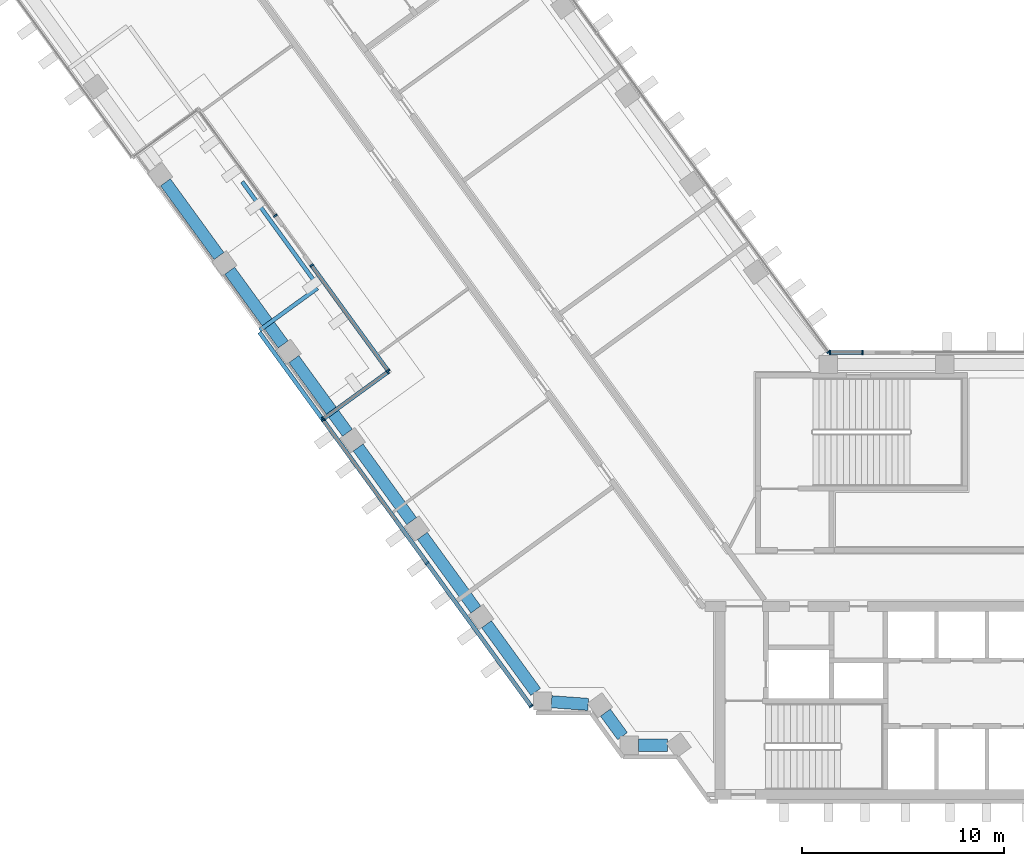
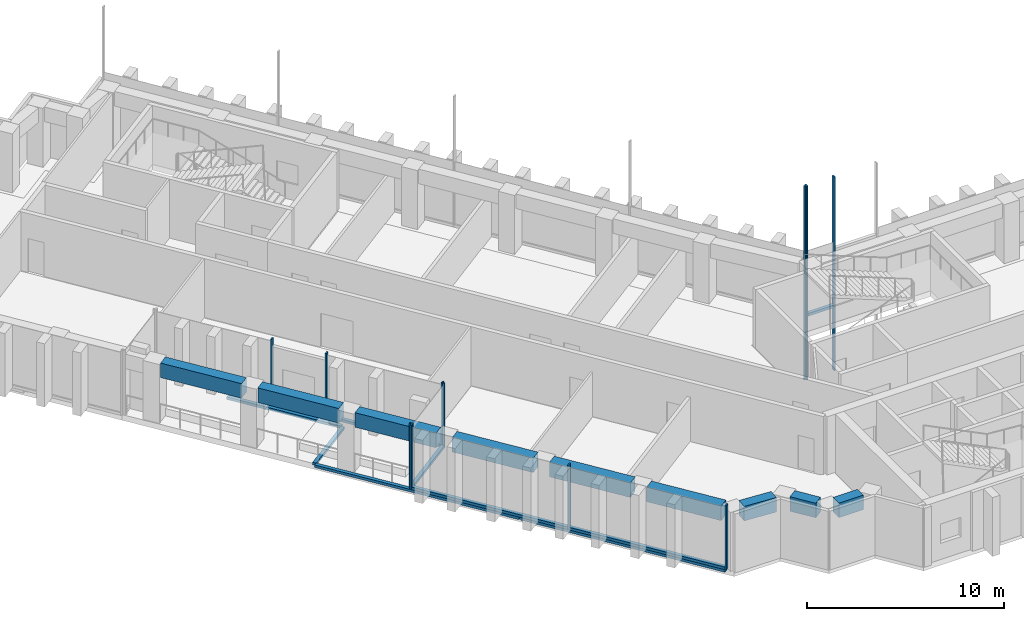
"""IFC4 building model written with IfcOpenShell, lengths in metres."""

from ifc_helpers import new_model, si_unit, direction, frame, origin, origin_2d, place, context, subcontext, project, spatial, rectangle, extrude, material, material_profile, profile_set, type_object, element, aggregate, save


model = new_model("IFC4")

# Units and contexts
model_context = context("Model", 3, precision=1e-05, world=origin(), true_north=direction((0.0, 1.0)))
body_context = subcontext(model_context, "Body", "Model", "MODEL_VIEW")
ifc_project = project(units=[si_unit("LENGTHUNIT", "METRE"), si_unit("AREAUNIT", "SQUARE_METRE"), si_unit("VOLUMEUNIT", "CUBIC_METRE"), si_unit("PLANEANGLEUNIT", "RADIAN"), si_unit("MASSUNIT", "GRAM", prefix="KILO")], contexts=[model_context])

# Site, building, storey
site_placement = place(None, origin())
site = spatial("IfcSite", under=ifc_project, at=site_placement, CompositionType="ELEMENT")
building_placement = place(site_placement, origin())
building = spatial("IfcBuilding", under=site, at=building_placement, Name="Quipu Civic Tower", CompositionType="ELEMENT")
storey_1_placement = place(building_placement, frame((0.0, 0.0, 47.0)))
storey_1 = spatial("IfcBuildingStorey", under=building, at=storey_1_placement, Name="L10", CompositionType="ELEMENT", Elevation=47.0)

# Curtain wall, member
ifc_material_1 = material(Name="Insulated glass unit", Category="glass")
curtain_wall_type = type_object("IfcCurtainWallType", Name="Office curtain wall CW1", PredefinedType="NOTDEFINED", material=ifc_material_1)
curtain_wall_1_placement = place(storey_1_placement, origin())
curtain_wall_1 = element("IfcCurtainWall", 1, at=curtain_wall_1_placement, inside=storey_1, type_object=curtain_wall_type, Name="Office curtain wall CW1 L10 run 3", PredefinedType="NOTDEFINED")
ifc_material_2 = material(Name="Anodised aluminium", Category="aluminium")
ifc_material_profile_1 = material_profile(ifc_material_2, rectangle(XDim=0.199951171875, YDim=0.080078125, at=origin_2d()), Name="RECT 200x80")
ifc_profile_set_1 = profile_set([ifc_material_profile_1], Name="Anodised aluminium")
member_type_1 = type_object("IfcMemberType", Name="Mullion CW1", PredefinedType="MULLION", material=ifc_profile_set_1)
member_1_placement = place(storey_1_placement, frame((-41.72119140625, 17.865966796875, 0.080078125), z_axis=(0.0, 0.0, 1.0), x_axis=(0.809021906018, 0.587778491936, 0.0)))
member_1 = element("IfcMember", 2, at=member_1_placement, type_object=member_type_1, Name="CW1 mullion 2", PredefinedType="MULLION", context=body_context, shape_type="SweptSolid", body=[
    extrude(rectangle(XDim=0.199951171875, YDim=0.080078125, at=origin_2d()), origin(), (0.0, 0.0, 1.0), 4.0),
])
aggregate(curtain_wall_1, [member_1])

# Curtain wall, members
curtain_wall_2_placement = place(storey_1_placement, origin())
curtain_wall_2 = element("IfcCurtainWall", 3, at=curtain_wall_2_placement, inside=storey_1, type_object=curtain_wall_type, Name="Office curtain wall CW1 L10 run 5", PredefinedType="NOTDEFINED")
member_2_placement = place(storey_1_placement, frame((-39.9326171875, 15.404296875, 0.080078125), z_axis=(0.0, 0.0, 1.0), x_axis=(0.809018600878, 0.587783041125, 0.0)))
member_2 = element("IfcMember", 4, at=member_2_placement, type_object=member_type_1, Name="CW1 mullion 1", PredefinedType="MULLION", context=body_context, shape_type="SweptSolid", body=[
    extrude(rectangle(XDim=0.199951171875, YDim=0.080078125, at=origin_2d()), origin(), (0.0, 0.0, 1.0), 4.0),
])
member_3_placement = place(storey_1_placement, frame((-36.148193359375, 10.195556640625, 0.080078125), z_axis=(0.0, 0.0, 1.0), x_axis=(0.809018600878, 0.587783041125, 0.0)))
member_3 = element("IfcMember", 5, at=member_3_placement, type_object=member_type_1, Name="CW1 mullion 2", PredefinedType="MULLION", context=body_context, shape_type="SweptSolid", body=[
    extrude(rectangle(XDim=0.199951171875, YDim=0.080078125, at=origin_2d()), origin(), (0.0, 0.0, 1.0), 4.0),
])

curtain_wall_3_placement = place(storey_1_placement, origin())
curtain_wall_3 = element("IfcCurtainWall", 6, at=curtain_wall_3_placement, inside=storey_1, type_object=curtain_wall_type, Name="Office curtain wall CW1 L10 run 6", PredefinedType="NOTDEFINED")
member_4_placement = place(storey_1_placement, frame((-36.156982421875, 10.1396484375, 0.080078125), z_axis=(0.0, 0.0, 1.0), x_axis=(0.587777550153, -0.809022590251, 0.0)))
member_4 = element("IfcMember", 7, at=member_4_placement, type_object=member_type_1, Name="CW1 mullion 1", PredefinedType="MULLION", context=body_context, shape_type="SweptSolid", body=[
    extrude(rectangle(XDim=0.199951171875, YDim=0.080078125, at=origin_2d()), origin(), (0.0, 0.0, 1.0), 4.0),
])
member_5_placement = place(storey_1_placement, frame((-39.3515625, 7.818603515625, 0.080078125), z_axis=(0.0, 0.0, 1.0), x_axis=(0.587777550153, -0.809022590251, 0.0)))
member_5 = element("IfcMember", 8, at=member_5_placement, type_object=member_type_1, Name="CW1 mullion 2", PredefinedType="MULLION", context=body_context, shape_type="SweptSolid", body=[
    extrude(rectangle(XDim=0.199951171875, YDim=0.080078125, at=origin_2d()), origin(), (0.0, 0.0, 1.0), 4.0),
])

curtain_wall_4_placement = place(storey_1_placement, origin())
curtain_wall_4 = element("IfcCurtainWall", 9, at=curtain_wall_4_placement, inside=storey_1, type_object=curtain_wall_type, Name="Office curtain wall CW1 L10 run 7", PredefinedType="NOTDEFINED")
member_6_placement = place(storey_1_placement, frame((-39.3603515625, 7.762939453125, 0.080078125), z_axis=(0.0, 0.0, 1.0), x_axis=(0.809017535597, 0.587784507363, 0.0)))
member_6 = element("IfcMember", 10, at=member_6_placement, type_object=member_type_1, Name="CW1 mullion 1", PredefinedType="MULLION", context=body_context, shape_type="SweptSolid", body=[
    extrude(rectangle(XDim=0.199951171875, YDim=0.080078125, at=origin_2d()), origin(), (0.0, 0.0, 1.0), 4.0),
])
member_7_placement = place(storey_1_placement, frame((-34.219970703125, 0.6875, 0.080078125), z_axis=(0.0, 0.0, 1.0), x_axis=(0.809017535597, 0.587784507363, 0.0)))
member_7 = element("IfcMember", 11, at=member_7_placement, type_object=member_type_1, Name="CW1 mullion 2", PredefinedType="MULLION", context=body_context, shape_type="SweptSolid", body=[
    extrude(rectangle(XDim=0.199951171875, YDim=0.080078125, at=origin_2d()), origin(), (0.0, 0.0, 1.0), 4.0),
])
member_8_placement = place(storey_1_placement, frame((-29.079345703125, -6.3876953125, 0.080078125), z_axis=(0.0, 0.0, 1.0), x_axis=(0.809017535597, 0.587784507363, 0.0)))
member_8 = element("IfcMember", 12, at=member_8_placement, type_object=member_type_1, Name="CW1 mullion 3", PredefinedType="MULLION", context=body_context, shape_type="SweptSolid", body=[
    extrude(rectangle(XDim=0.199951171875, YDim=0.080078125, at=origin_2d()), origin(), (0.0, 0.0, 1.0), 4.0),
])

curtain_wall_5_placement = place(storey_1_placement, origin())
curtain_wall_5 = element("IfcCurtainWall", 13, at=curtain_wall_5_placement, inside=storey_1, type_object=curtain_wall_type, Name="Office curtain wall CW1 L09 run 34", PredefinedType="NOTDEFINED")
member_9_placement = place(storey_1_placement, frame((-12.695068359375, 11.10009765625, -3.919921875), z_axis=(0.0, 0.0, 1.0), x_axis=(0.0, -1.0, 0.0)))
member_9 = element("IfcMember", 14, at=member_9_placement, type_object=member_type_1, Name="CW1 mullion 1", PredefinedType="MULLION", context=body_context, shape_type="SweptSolid", body=[
    extrude(rectangle(XDim=0.199951171875, YDim=0.080078125, at=origin_2d()), origin(), (0.0, 0.0, 1.0), 12.0),
])
member_10_placement = place(storey_1_placement, frame((-14.30419921875, 11.10009765625, -3.919921875), z_axis=(0.0, 0.0, 1.0), x_axis=(0.0, -1.0, 0.0)))
member_10 = element("IfcMember", 15, at=member_10_placement, type_object=member_type_1, Name="CW1 mullion 2", PredefinedType="MULLION", context=body_context, shape_type="SweptSolid", body=[
    extrude(rectangle(XDim=0.199951171875, YDim=0.080078125, at=origin_2d()), origin(), (0.0, 0.0, 1.0), 12.0),
])

# Curtain wall, member
curtain_wall_6_placement = place(storey_1_placement, origin())
curtain_wall_6 = element("IfcCurtainWall", 16, at=curtain_wall_6_placement, inside=storey_1, type_object=curtain_wall_type, Name="Office curtain wall CW1 L09 run 35", PredefinedType="NOTDEFINED")
member_11_placement = place(storey_1_placement, frame((-14.36767578125, 11.13232421875, -3.919921875), z_axis=(0.0, 0.0, 1.0), x_axis=(-0.809016532822, -0.587785887566, 0.0)))
member_11 = element("IfcMember", 17, at=member_11_placement, type_object=member_type_1, Name="CW1 mullion 1", PredefinedType="MULLION", context=body_context, shape_type="SweptSolid", body=[
    extrude(rectangle(XDim=0.199951171875, YDim=0.080078125, at=origin_2d()), origin(), (0.0, 0.0, 1.0), 12.0),
])
aggregate(curtain_wall_6, [member_11])

# Beams
ifc_material_3 = material(Name="Concrete C50/60", Category="concrete")
ifc_material_profile_2 = material_profile(ifc_material_3, rectangle(XDim=0.60009765625, YDim=0.89990234375, at=origin_2d()), Name="RC600x900")
ifc_profile_set_2 = profile_set([ifc_material_profile_2], Name="Concrete C50/60")
beam_type = type_object("IfcBeamType", Name="Spandrel beam RC 600x900 C50/60", PredefinedType="SPANDREL", material=ifc_profile_set_2)
beam_1_placement = place(storey_1_placement, frame((-47.15380859375, 19.5107421875, 3.199951171875), z_axis=(0.587803872688, -0.809003465539, 0.0), x_axis=(0.809003465539, 0.587803872688, 0.0)))
element("IfcBeam", 18, at=beam_1_placement, inside=storey_1, type_object=beam_type, Name="Spandrel beam L10 W-OUT-06 to W-OUT-05", PredefinedType="SPANDREL", context=body_context, shape_type="SweptSolid", body=[
    extrude(rectangle(XDim=0.60009765625, YDim=0.89990234375, at=origin_2d()), origin(), (0.0, 0.0, 1.0), 4.499755859375),
])
for number, where, z_axis, x_axis, name in (
    (19, (-43.97998046875, 15.14208984375, 3.199951171875), (0.587778073121, -0.809022210299, 0.0), (0.809022210299, 0.587778073121, 0.0), "Spandrel beam L10 W-OUT-05 to W-OUT-04"),
    (20, (-40.805908203125, 10.7734375, 3.199951171875), (0.587778073121, -0.809022210299, 0.0), (0.809022210299, 0.587778073121, 0.0), "Spandrel beam L10 W-OUT-04 to W-OUT-03"),
):
    element("IfcBeam", number, at=place(storey_1_placement, frame(where, z_axis=z_axis, x_axis=x_axis)), inside=storey_1, type_object=beam_type, Name=name, PredefinedType="SPANDREL", context=body_context, shape_type="SweptSolid", body=[
        extrude(rectangle(XDim=0.60009765625, YDim=0.89990234375, at=origin_2d()), origin(), (0.0, 0.0, 1.0), 4.5),
    ])
beam_2_placement = place(storey_1_placement, frame((-37.6318359375, 6.404541015625, 3.199951171875), z_axis=(0.587803872688, -0.809003465539, 0.0), x_axis=(0.809003465539, 0.587803872688, 0.0)))
element("IfcBeam", 21, at=beam_2_placement, inside=storey_1, type_object=beam_type, Name="Spandrel beam L10 W-OUT-03 to W-OUT-02", PredefinedType="SPANDREL", context=body_context, shape_type="SweptSolid", body=[
    extrude(rectangle(XDim=0.60009765625, YDim=0.89990234375, at=origin_2d()), origin(), (0.0, 0.0, 1.0), 4.499755859375),
])
beam_3_placement = place(storey_1_placement, frame((-34.457763671875, 2.035888671875, 3.199951171875), z_axis=(0.587778073121, -0.809022210299, 0.0), x_axis=(0.809022210299, 0.587778073121, 0.0)))
element("IfcBeam", 22, at=beam_3_placement, inside=storey_1, type_object=beam_type, Name="Spandrel beam L10 W-OUT-02 to W-OUT-01", PredefinedType="SPANDREL", context=body_context, shape_type="SweptSolid", body=[
    extrude(rectangle(XDim=0.60009765625, YDim=0.89990234375, at=origin_2d()), origin(), (0.0, 0.0, 1.0), 4.5),
])
beam_4_placement = place(storey_1_placement, frame((-31.28369140625, -2.332763671875, 3.199951171875), z_axis=(0.587750565781, -0.809042194464, 0.0), x_axis=(0.809042194464, 0.587750565781, 0.0)))
element("IfcBeam", 23, at=beam_4_placement, inside=storey_1, type_object=beam_type, Name="Spandrel beam L10 W-OUT-01 to J-Wo.0", PredefinedType="SPANDREL", context=body_context, shape_type="SweptSolid", body=[
    extrude(rectangle(XDim=0.60009765625, YDim=0.89990234375, at=origin_2d()), origin(), (0.0, 0.0, 1.0), 4.13720703125),
])
beam_5_placement = place(storey_1_placement, frame((-28.074951171875, -6.16259765625, 3.199951171875), z_axis=(0.997367229877, -0.072516265536, 0.0), x_axis=(0.072516265536, 0.997367229877, 0.0)))
element("IfcBeam", 24, at=beam_5_placement, inside=storey_1, type_object=beam_type, Name="Spandrel beam L10 J-Wo.0 to J-Wo.1", PredefinedType="SPANDREL", context=body_context, shape_type="SweptSolid", body=[
    extrude(rectangle(XDim=0.60009765625, YDim=0.89990234375, at=origin_2d()), origin(), (0.0, 0.0, 1.0), 1.818115234375),
])
beam_6_placement = place(storey_1_placement, frame((-25.40966796875, -6.700927734375, 3.199951171875), z_axis=(0.588433824377, -0.808545381738, 0.0), x_axis=(0.808545381738, 0.588433824377, 0.0)))
element("IfcBeam", 25, at=beam_6_placement, inside=storey_1, type_object=beam_type, Name="Spandrel beam L10 J-Wo.1 to J-Wo.2", PredefinedType="SPANDREL", context=body_context, shape_type="SweptSolid", body=[
    extrude(rectangle(XDim=0.60009765625, YDim=0.89990234375, at=origin_2d()), origin(), (0.0, 0.0, 1.0), 1.439697265625),
])
beam_7_placement = place(storey_1_placement, frame((-23.784912109375, -8.31494140625, 3.199951171875), z_axis=(1.0, 0.0, 0.0), x_axis=(0.0, 1.0, 0.0)))
element("IfcBeam", 26, at=beam_7_placement, inside=storey_1, type_object=beam_type, Name="Spandrel beam L10 J-Wo.2 to J-Wo.3", PredefinedType="SPANDREL", context=body_context, shape_type="SweptSolid", body=[
    extrude(rectangle(XDim=0.60009765625, YDim=0.89990234375, at=origin_2d()), origin(), (0.0, 0.0, 1.0), 1.436767578125),
])

# Storey
storey_2_placement = place(building_placement, frame((0.0, 0.0, 43.0)))
storey_2 = spatial("IfcBuildingStorey", under=building, at=storey_2_placement, Name="L09", CompositionType="ELEMENT", Elevation=43.0)

# Curtain wall, member
curtain_wall_7_placement = place(storey_2_placement, origin())
curtain_wall_7 = element("IfcCurtainWall", 27, at=curtain_wall_7_placement, inside=storey_2, type_object=curtain_wall_type, Name="Office curtain wall CW1 L09 run 5", PredefinedType="NOTDEFINED")
ifc_material_4 = material(Name="Anodised aluminium", Category="aluminium")
ifc_material_profile_3 = material_profile(ifc_material_4, rectangle(XDim=0.199951171875, YDim=0.159912109375, at=origin_2d()), Name="RECT 200x160")
ifc_profile_set_3 = profile_set([ifc_material_profile_3], Name="Anodised aluminium")
member_type_2 = type_object("IfcMemberType", Name="Transom CW1", PredefinedType="USERDEFINED", material=ifc_profile_set_3)
member_12_placement = place(storey_1_placement, frame((-43.360595703125, 19.539306640625, 0.0), z_axis=(0.587785815007, -0.809016585539, 0.0), x_axis=(0.809016585539, 0.587785815007, 0.0)))
member_12 = element("IfcMember", 28, at=member_12_placement, inside=storey_1, type_object=member_type_2, Name="CW1 transom 1.2", ObjectType="TRANSOM", PredefinedType="USERDEFINED", context=body_context, shape_type="SweptSolid", body=[
    extrude(rectangle(XDim=0.199951171875, YDim=0.159912109375, at=origin_2d()), origin(), (0.0, 0.0, 1.0), 6.358642578125),
])
aggregate(curtain_wall_7, [member_12])

curtain_wall_8_placement = place(storey_2_placement, origin())
curtain_wall_8 = element("IfcCurtainWall", 29, at=curtain_wall_8_placement, inside=storey_2, type_object=curtain_wall_type, Name="Office curtain wall CW1 L09 run 6", PredefinedType="NOTDEFINED")
member_13_placement = place(storey_1_placement, frame((-39.640869140625, 14.283203125, 0.0), z_axis=(-0.809023460157, -0.587776352804, 0.0), x_axis=(0.587776352804, -0.809023460157, 0.0)))
member_13 = element("IfcMember", 30, at=member_13_placement, inside=storey_1, type_object=member_type_2, Name="CW1 transom 1.2", ObjectType="TRANSOM", PredefinedType="USERDEFINED", context=body_context, shape_type="SweptSolid", body=[
    extrude(rectangle(XDim=0.199951171875, YDim=0.159912109375, at=origin_2d()), origin(), (0.0, 0.0, 1.0), 3.525634765625),
])
aggregate(curtain_wall_8, [member_13])

# Curtain wall, members
curtain_wall_9_placement = place(storey_2_placement, origin())
curtain_wall_9 = element("IfcCurtainWall", 31, at=curtain_wall_9_placement, inside=storey_2, type_object=curtain_wall_type, Name="Office curtain wall CW1 L09 run 7", PredefinedType="NOTDEFINED")
member_14_placement = place(storey_1_placement, frame((-42.510986328125, 12.09912109375, 0.0), z_axis=(0.587798683224, -0.809007236062, 0.0), x_axis=(0.809007236062, 0.587798683224, 0.0)))
member_14 = element("IfcMember", 32, at=member_14_placement, inside=storey_1, type_object=member_type_2, Name="CW1 transom 1.2", ObjectType="TRANSOM", PredefinedType="USERDEFINED", context=body_context, shape_type="SweptSolid", body=[
    extrude(rectangle(XDim=0.199951171875, YDim=0.159912109375, at=origin_2d()), origin(), (0.0, 0.0, 1.0), 11.365478515625),
])
member_15_placement = place(storey_1_placement, frame((-35.783447265625, 2.839599609375, 0.0), z_axis=(0.58777440929, -0.809024872166, 0.0), x_axis=(0.809024872166, 0.58777440929, 0.0)))
member_15 = element("IfcMember", 33, at=member_15_placement, inside=storey_1, type_object=member_type_2, Name="CW1 transom 2.2", ObjectType="TRANSOM", PredefinedType="USERDEFINED", context=body_context, shape_type="SweptSolid", body=[
    extrude(rectangle(XDim=0.199951171875, YDim=0.159912109375, at=origin_2d()), origin(), (0.0, 0.0, 1.0), 11.36572265625),
])
aggregate(curtain_wall_9, [member_14, member_15])

# Member
member_16_placement = place(storey_1_placement, frame((-39.9091796875, 15.371826171875, 0.159912109375), z_axis=(0.587804073239, -0.809003319822, 0.0), x_axis=(0.809003319822, 0.587804073239, 0.0)))
member_16 = element("IfcMember", 34, at=member_16_placement, type_object=member_type_2, Name="CW1 transom 1.1", ObjectType="TRANSOM", PredefinedType="USERDEFINED", context=body_context, shape_type="SweptSolid", body=[
    extrude(rectangle(XDim=0.199951171875, YDim=0.159912109375, at=origin_2d()), origin(), (0.0, 0.0, 1.0), 6.3583984375),
])

aggregate(curtain_wall_2, [member_2, member_3, member_16])

member_17_placement = place(storey_1_placement, frame((-36.189453125, 10.115966796875, 0.159912109375), z_axis=(-0.809033460399, -0.587762588087, 0.0), x_axis=(0.587762588087, -0.809033460399, 0.0)))
member_17 = element("IfcMember", 35, at=member_17_placement, type_object=member_type_2, Name="CW1 transom 1.1", ObjectType="TRANSOM", PredefinedType="USERDEFINED", context=body_context, shape_type="SweptSolid", body=[
    extrude(rectangle(XDim=0.199951171875, YDim=0.159912109375, at=origin_2d()), origin(), (0.0, 0.0, 1.0), 3.868408203125),
])

aggregate(curtain_wall_3, [member_4, member_5, member_17])

member_18_placement = place(storey_1_placement, frame((-39.3369140625, 7.73046875, 0.159912109375), z_axis=(0.587791361613, -0.809012555659, 0.0), x_axis=(0.809012555659, 0.587791361613, 0.0)))
member_18 = element("IfcMember", 36, at=member_18_placement, type_object=member_type_2, Name="CW1 transom 1.1", ObjectType="TRANSOM", PredefinedType="USERDEFINED", context=body_context, shape_type="SweptSolid", body=[
    extrude(rectangle(XDim=0.199951171875, YDim=0.159912109375, at=origin_2d()), origin(), (0.0, 0.0, 1.0), 8.66552734375),
])

member_19_placement = place(storey_1_placement, frame((-34.1962890625, 0.6552734375, 0.159912109375), z_axis=(0.587759523989, -0.809035686457, 0.0), x_axis=(0.809035686457, 0.587759523989, 0.0)))
member_19 = element("IfcMember", 37, at=member_19_placement, type_object=member_type_2, Name="CW1 transom 2.1", ObjectType="TRANSOM", PredefinedType="USERDEFINED", context=body_context, shape_type="SweptSolid", body=[
    extrude(rectangle(XDim=0.199951171875, YDim=0.159912109375, at=origin_2d()), origin(), (0.0, 0.0, 1.0), 8.66552734375),
])

aggregate(curtain_wall_4, [member_6, member_7, member_8, member_18, member_19])

member_20_placement = place(storey_1_placement, frame((-12.735107421875, 11.10009765625, 0.080078125), z_axis=(-1.0, 0.0, 0.0), x_axis=(0.0, -1.0, 0.0)))
member_20 = element("IfcMember", 38, at=member_20_placement, type_object=member_type_2, Name="CW1 transom 1.2", ObjectType="TRANSOM", PredefinedType="USERDEFINED", context=body_context, shape_type="SweptSolid", body=[
    extrude(rectangle(XDim=0.199951171875, YDim=0.159912109375, at=origin_2d()), origin(), (0.0, 0.0, 1.0), 1.529052734375),
])

aggregate(curtain_wall_5, [member_9, member_10, member_20])

save(model, "model.ifc")
